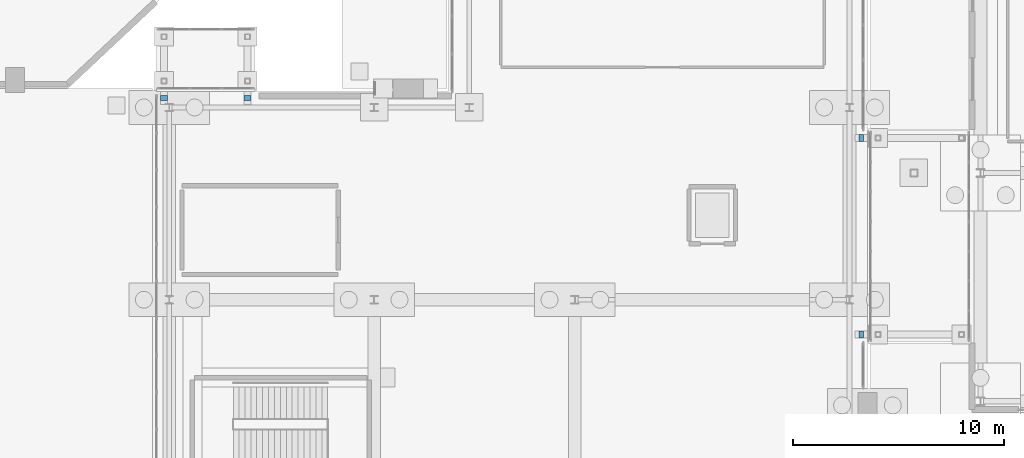
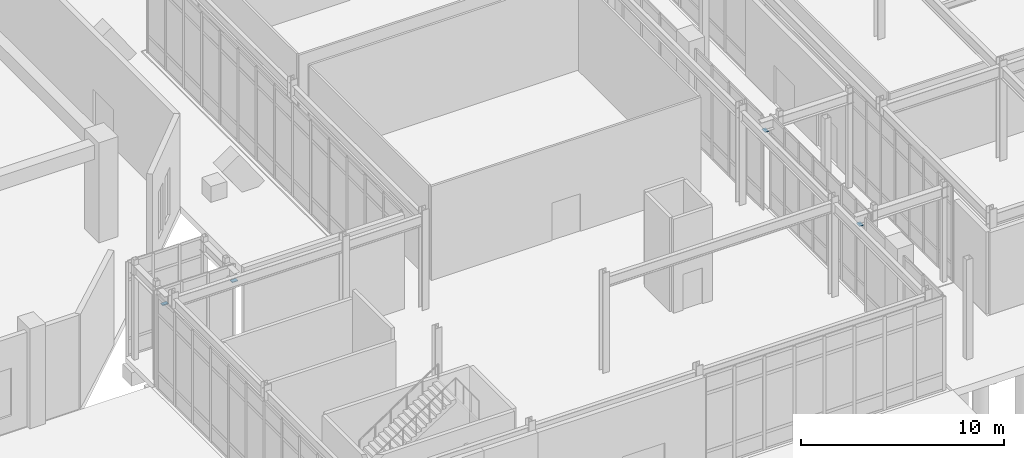
# One storey, part 126 of 143: 4 discrete accessories.
"""IFC4 building model written with IfcOpenShell, lengths in metres."""

from ifc_helpers import new_model, si_unit, derived_unit, direction, frame, origin, origin_2d, place, context, subcontext, project, spatial, rectangle, extrude, material, layer, layer_set, type_object, element, save


model = new_model("IFC4")

# Units and contexts
model_context = context("Model", 3, precision=1e-05, world=origin(), true_north=direction((0.0, 1.0)))
body_context = subcontext(model_context, "Body", "Model", "MODEL_VIEW")
ifc_project = project(units=[si_unit("LENGTHUNIT", "METRE"), si_unit("AREAUNIT", "SQUARE_METRE"), si_unit("VOLUMEUNIT", "CUBIC_METRE"), si_unit("PLANEANGLEUNIT", "RADIAN"), si_unit("MASSUNIT", "GRAM", prefix="KILO"), derived_unit("THERMALTRANSMITTANCEUNIT", [(si_unit("MASSUNIT", "GRAM", prefix="KILO"), 1), (si_unit("TIMEUNIT", "SECOND"), -3), (si_unit("THERMODYNAMICTEMPERATUREUNIT", "KELVIN"), -1)])], contexts=[model_context])

# Site, building, storey
site_placement = place(None, origin())
site = spatial("IfcSite", under=ifc_project, at=site_placement, CompositionType="ELEMENT")
building_placement = place(site_placement, origin())
building = spatial("IfcBuilding", under=site, at=building_placement, Name="Valcora Ridge Arena", CompositionType="ELEMENT")
storey_placement = place(building_placement, origin())
storey = spatial("IfcBuildingStorey", under=building, at=storey_placement, Name="L00", CompositionType="ELEMENT", Elevation=0.0)

# Discrete accessories
ifc_material = material(Name="Steel ASTM A572 Grade 50", Category="steel")
ifc_layer = layer(ifc_material, 0.044921875, Name="Steel ASTM A572 Grade 50")
ifc_layer_set = layer_set([ifc_layer], Name="Steel ASTM A572 Grade 50")
discrete_accessory_type = type_object("IfcDiscreteAccessoryType", Name="TY-DISCRETEACCESSORY-BRG-PTFE-220", PredefinedType="BRACKET", material=ifc_layer_set)
for number, where, z_axis, x_axis, name in (
    (1, (98.550048828125, 19.550048828125, 5.02294921875), (0.0, 0.0, 1.0), (1.0, 0.0, 0.0), "BRG-PTFE-220 ACC-BRG-0001"),
    (2, (102.5, 19.550048828125, 5.02294921875), (0.0, 0.0, 1.0), (1.0, 0.0, 0.0), "BRG-PTFE-220 ACC-BRG-0002"),
):
    element("IfcDiscreteAccessory", number, at=place(storey_placement, frame(where, z_axis=z_axis, x_axis=x_axis)), inside=storey, type_object=discrete_accessory_type, Name=name, PredefinedType="BRACKET", context=body_context, shape_type="SweptSolid", body=[
        extrude(rectangle(XDim=0.320068359375, YDim=0.219970703125, at=origin_2d()), origin(), (0.0, 0.0, 1.0), 0.044921875),
    ])
for number, where, z_axis, x_axis, name in (
    (3, (131.550048828125, 8.35009765625, 5.02294921875), (0.0, 0.0, 1.0), (1.0, 0.0, 0.0), "BRG-PTFE-220 ACC-BRG-0003"),
    (4, (131.550048828125, 17.64990234375, 5.02294921875), (0.0, 0.0, 1.0), (1.0, 0.0, 0.0), "BRG-PTFE-220 ACC-BRG-0004"),
):
    element("IfcDiscreteAccessory", number, at=place(storey_placement, frame(where, z_axis=z_axis, x_axis=x_axis)), inside=storey, type_object=discrete_accessory_type, Name=name, PredefinedType="BRACKET", context=body_context, shape_type="SweptSolid", body=[
        extrude(rectangle(XDim=0.219970703125, YDim=0.320068359375, at=origin_2d()), origin(), (0.0, 0.0, 1.0), 0.044921875),
    ])

save(model, "model.ifc")
